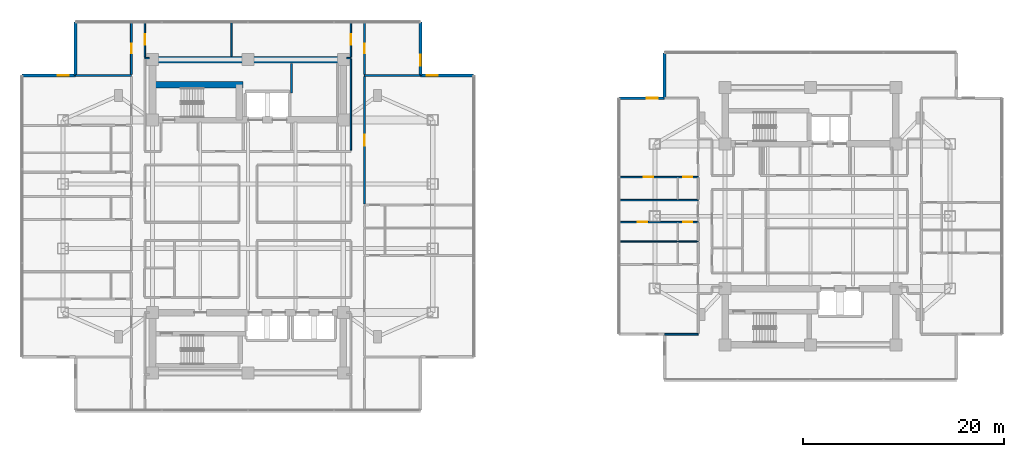
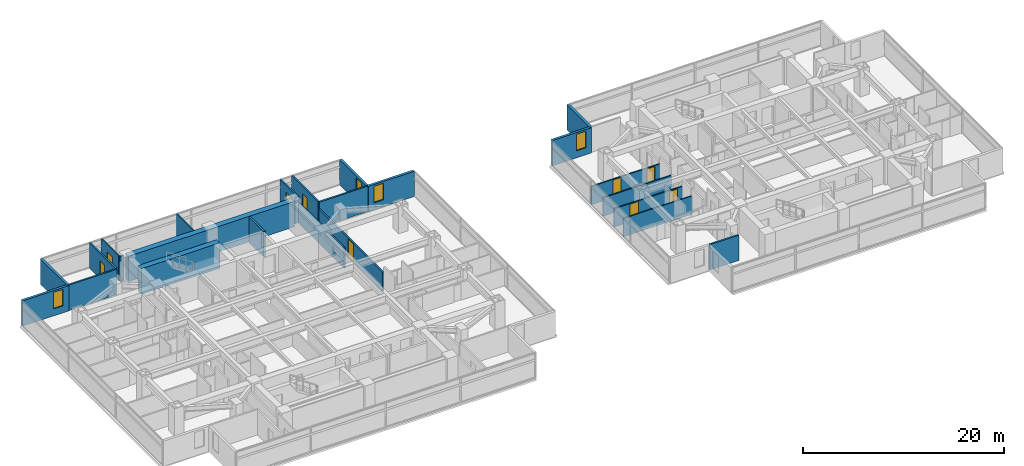
# One storey, part 17 of 26: 25 walls, 9 doors, 4 windows, 13 openings.
"""IFC4 building model written with IfcOpenShell, lengths in metres."""

from ifc_helpers import new_model, si_unit, direction, frame, frame_2d, origin, place, context, subcontext, project, spatial, rectangle, extrude, material, layer, layer_set, type_object, element, fill, save


model = new_model("IFC4")

# Units and contexts
model_context = context("Model", 3, precision=1e-05, world=origin(), true_north=direction((0.0, 1.0)))
body_context = subcontext(model_context, "Body", "Model", "MODEL_VIEW")
ifc_project = project(units=[si_unit("LENGTHUNIT", "METRE"), si_unit("AREAUNIT", "SQUARE_METRE"), si_unit("VOLUMEUNIT", "CUBIC_METRE"), si_unit("PLANEANGLEUNIT", "RADIAN"), si_unit("MASSUNIT", "GRAM", prefix="KILO")], contexts=[model_context])

# Site, building, storey
site_placement = place(None, origin())
site = spatial("IfcSite", under=ifc_project, at=site_placement, CompositionType="ELEMENT")
building_placement = place(site_placement, origin())
building = spatial("IfcBuilding", under=site, at=building_placement, Name="Mirazonda Arch Towers", CompositionType="ELEMENT")
storey_placement = place(building_placement, frame((0.0, 0.0, 114.800048828125)))
storey = spatial("IfcBuildingStorey", under=building, at=storey_placement, Name="L32", CompositionType="ELEMENT", Elevation=114.800048828125)

# Walls
ifc_material_1 = material(Name="Concrete C60/75", Category="concrete")
ifc_layer_1 = layer(ifc_material_1, 0.64990234375, Name="WALL-CORE-650")
ifc_layer_set_1 = layer_set([ifc_layer_1], Name="Concrete C60/75")
wall_type_1 = type_object("IfcWallType", Name="WALL-CORE-650", PredefinedType="SHEAR", material=ifc_layer_set_1)
wall_1_placement = place(storey_placement, frame((11.0, 43.60009765625, 0.0), z_axis=(0.0, 0.0, 1.0), x_axis=(1.0, 0.0, 0.0)))
element("IfcWall", 1, at=wall_1_placement, inside=storey, type_object=wall_type_1, Name="L32 T1N-N Core Shear Wall", PredefinedType="SHEAR", context=body_context, shape_type="SweptSolid", body=[
    extrude(rectangle(XDim=19.0, YDim=0.64990234375, at=frame_2d((9.5, 0.0))), origin(), (0.0, 0.0, 1.0), 3.079833984375),
])
wall_2_placement = place(storey_placement, frame((11.0, 41.093017578125, 0.0), z_axis=(0.0, 0.0, 1.0), x_axis=(1.0, 0.0, 0.0)))
element("IfcWall", 2, at=wall_2_placement, inside=storey, type_object=wall_type_1, Name="L32 T1N-STN Core Shear Wall", PredefinedType="SHEAR", context=body_context, shape_type="SweptSolid", body=[
    extrude(rectangle(XDim=9.0, YDim=0.64990234375, at=frame_2d((4.5, 0.0))), origin(), (0.0, 0.0, 1.0), 3.079833984375),
])

# Wall, opening, window
ifc_material_2 = material(Name="Precast Concrete C40/50", Category="concrete")
ifc_layer_2 = layer(ifc_material_2, 0.280029296875, Name="WALL-EXT-WALL-280")
ifc_layer_set_2 = layer_set([ifc_layer_2], Name="Precast Concrete C40/50")
wall_type_2 = type_object("IfcWallType", Name="WALL-EXT-WALL-280", PredefinedType="SOLIDWALL", material=ifc_layer_set_2)
wall_3_placement = place(storey_placement, frame((37.6650390625, 42.009033203125, 0.0), z_axis=(0.0, 0.0, 1.0), x_axis=(0.0, 1.0, 0.0)))
wall_3 = element("IfcWall", 3, at=wall_3_placement, inside=storey, type_object=wall_type_2, Name="L32 T1 Notched NE Corner Wall WL-L32-T1-CNE", PredefinedType="SOLIDWALL", context=body_context, shape_type="SweptSolid", body=[
    extrude(rectangle(XDim=5.304931640625, YDim=0.280029296875, at=frame_2d((2.65234375, 0.0))), origin(), (0.0, 0.0, 1.0), 3.06005859375),
])
opening_1_placement = place(wall_3_placement, frame((0.949951171875, 0.0, 0.85009765625)))
opening_1 = element("IfcOpeningElement", 4, at=opening_1_placement, cuts=wall_3, Name="Opening WN-108", PredefinedType="OPENING", context=body_context, shape_type="SweptSolid", body=[
    extrude(rectangle(XDim=1.10009765625, YDim=2.0, at=frame_2d((0.550048828125, 1.0))), frame((0.0, 0.14990234375, 0.0), z_axis=(0.0, -1.0, 0.0), x_axis=(1.0, 0.0, 0.0)), (0.0, 0.0, 1.0), 0.300048828125),
])
ifc_material_3 = material(Name="Insulated Low-E Solar Glass", Category="glass")
window_type = type_object("IfcWindowType", Name="WIN-NOTCH-1100x2000", PartitioningType="SINGLE_PANEL", PredefinedType="WINDOW", material=ifc_material_3)
window_1_placement = place(opening_1_placement, origin())
window_1 = element("IfcWindow", 5, at=window_1_placement, inside=storey, type_object=window_type, Name="L32 Punched Facade Window WN-L32-T1-CNE", OverallHeight=2.0, OverallWidth=1.10009765625, PartitioningType="SINGLE_PANEL", PredefinedType="WINDOW", context=body_context, shape_type="SweptSolid", body=[
    extrude(rectangle(XDim=1.10009765625, YDim=2.0, at=frame_2d((0.550048828125, 1.0))), frame((0.0, 0.030029296875, 0.0), z_axis=(0.0, -1.0, 0.0), x_axis=(1.0, 0.0, 0.0)), (0.0, 0.0, 1.0), 0.06005859375),
])
fill(opening_1, window_1)

wall_4_placement = place(storey_placement, frame((3.3349609375, 42.009033203125, 0.0), z_axis=(0.0, 0.0, 1.0), x_axis=(-1.0, 0.0, 0.0)))
wall_4 = element("IfcWall", 6, at=wall_4_placement, inside=storey, type_object=wall_type_2, Name="L32 T1 Corner Notch Return Wall WL-L32-T1-CNW1", PredefinedType="SOLIDWALL", context=body_context, shape_type="SweptSolid", body=[
    extrude(rectangle(XDim=5.304931640625, YDim=0.280029296875, at=frame_2d((2.65234375, 0.0))), origin(), (0.0, 0.0, 1.0), 3.06005859375),
])
opening_2_placement = place(wall_4_placement, frame((0.64990234375, 0.0, 0.85009765625)))
opening_2 = element("IfcOpeningElement", 7, at=opening_2_placement, cuts=wall_4, Name="Opening WN-108", PredefinedType="OPENING", context=body_context, shape_type="SweptSolid", body=[
    extrude(rectangle(XDim=1.10009765625, YDim=2.0, at=frame_2d((0.550048828125, 1.0))), frame((0.0, 0.14990234375, 0.0), z_axis=(0.0, -1.0, 0.0), x_axis=(1.0, 0.0, 0.0)), (0.0, 0.0, 1.0), 0.300048828125),
])
window_2_placement = place(opening_2_placement, origin())
window_2 = element("IfcWindow", 8, at=window_2_placement, inside=storey, type_object=window_type, Name="L32 Punched Facade Window WN-L32-T1-CNW1", OverallHeight=2.0, OverallWidth=1.10009765625, PartitioningType="SINGLE_PANEL", PredefinedType="WINDOW", context=body_context, shape_type="SweptSolid", body=[
    extrude(rectangle(XDim=1.10009765625, YDim=2.0, at=frame_2d((0.550048828125, 1.0))), frame((0.0, 0.030029296875, 0.0), z_axis=(0.0, -1.0, 0.0), x_axis=(1.0, 0.0, 0.0)), (0.0, 0.0, 1.0), 0.06005859375),
])
fill(opening_2, window_2)

# Wall
wall_5_placement = place(storey_placement, frame((3.3349609375, 47.31396484375, 0.0), z_axis=(0.0, 0.0, 1.0), x_axis=(0.0, -1.0, 0.0)))
element("IfcWall", 9, at=wall_5_placement, inside=storey, type_object=wall_type_2, Name="L32 T1 Corner Notch Return Wall WL-L32-T1-CNW2", PredefinedType="SOLIDWALL", context=body_context, shape_type="SweptSolid", body=[
    extrude(rectangle(XDim=5.304931640625, YDim=0.280029296875, at=frame_2d((2.65234375, 0.0))), origin(), (0.0, 0.0, 1.0), 3.06005859375),
])

# Wall, opening, window
wall_6_placement = place(storey_placement, frame((42.969970703125, 42.009033203125, 0.0), z_axis=(0.0, 0.0, 1.0), x_axis=(-1.0, 0.0, 0.0)))
wall_6 = element("IfcWall", 10, at=wall_6_placement, inside=storey, type_object=wall_type_2, Name="L32 T1 Corner Notch Return Wall WL-L32-T1-CNE2", PredefinedType="SOLIDWALL", context=body_context, shape_type="SweptSolid", body=[
    extrude(rectangle(XDim=5.304931640625, YDim=0.280029296875, at=frame_2d((2.65234375, 0.0))), origin(), (0.0, 0.0, 1.0), 3.06005859375),
])
opening_3_placement = place(wall_6_placement, frame((3.554931640625, 0.0, 0.85009765625)))
opening_3 = element("IfcOpeningElement", 11, at=opening_3_placement, cuts=wall_6, Name="Opening WN-108", PredefinedType="OPENING", context=body_context, shape_type="SweptSolid", body=[
    extrude(rectangle(XDim=1.10009765625, YDim=2.0, at=frame_2d((0.550048828125, 1.0))), frame((0.0, 0.14990234375, 0.0), z_axis=(0.0, -1.0, 0.0), x_axis=(1.0, 0.0, 0.0)), (0.0, 0.0, 1.0), 0.300048828125),
])
window_3_placement = place(opening_3_placement, origin())
window_3 = element("IfcWindow", 12, at=window_3_placement, inside=storey, type_object=window_type, Name="L32 Punched Facade Window WN-L32-T1-CNE2", OverallHeight=2.0, OverallWidth=1.10009765625, PartitioningType="SINGLE_PANEL", PredefinedType="WINDOW", context=body_context, shape_type="SweptSolid", body=[
    extrude(rectangle(XDim=1.10009765625, YDim=2.0, at=frame_2d((0.550048828125, 1.0))), frame((0.0, 0.030029296875, 0.0), z_axis=(0.0, -1.0, 0.0), x_axis=(1.0, 0.0, 0.0)), (0.0, 0.0, 1.0), 0.06005859375),
])
fill(opening_3, window_3)

wall_7_placement = place(storey_placement, frame((61.9697265625, 39.74755859375, 0.0), z_axis=(0.0, 0.0, 1.0), x_axis=(-1.0, 0.0, 0.0)))
wall_7 = element("IfcWall", 13, at=wall_7_placement, inside=storey, type_object=wall_type_2, Name="L32 T2 Corner Notch Return Wall WL-L32-T2-CNW1", PredefinedType="SOLIDWALL", context=body_context, shape_type="SweptSolid", body=[
    extrude(rectangle(XDim=4.51611328125, YDim=0.280029296875, at=frame_2d((2.258056640625, 0.0))), origin(), (0.0, 0.0, 1.0), 3.06005859375),
])
opening_4_placement = place(wall_7_placement, frame((0.64990234375, 0.0, 0.85009765625)))
opening_4 = element("IfcOpeningElement", 14, at=opening_4_placement, cuts=wall_7, Name="Opening WN-108", PredefinedType="OPENING", context=body_context, shape_type="SweptSolid", body=[
    extrude(rectangle(XDim=1.10009765625, YDim=2.0, at=frame_2d((0.550048828125, 1.0))), frame((0.0, 0.14990234375, 0.0), z_axis=(0.0, -1.0, 0.0), x_axis=(1.0, 0.0, 0.0)), (0.0, 0.0, 1.0), 0.300048828125),
])
window_4_placement = place(opening_4_placement, origin())
window_4 = element("IfcWindow", 15, at=window_4_placement, inside=storey, type_object=window_type, Name="L32 Punched Facade Window WN-L32-T2-CNW1", OverallHeight=2.0, OverallWidth=1.10009765625, PartitioningType="SINGLE_PANEL", PredefinedType="WINDOW", context=body_context, shape_type="SweptSolid", body=[
    extrude(rectangle(XDim=1.10009765625, YDim=2.0, at=frame_2d((0.550048828125, 1.0))), frame((0.0, 0.030029296875, 0.0), z_axis=(0.0, -1.0, 0.0), x_axis=(1.0, 0.0, 0.0)), (0.0, 0.0, 1.0), 0.06005859375),
])
fill(opening_4, window_4)

# Walls
wall_8_placement = place(storey_placement, frame((61.9697265625, 44.263916015625, 0.0), z_axis=(0.0, 0.0, 1.0), x_axis=(0.0, -1.0, 0.0)))
element("IfcWall", 16, at=wall_8_placement, inside=storey, type_object=wall_type_2, Name="L32 T2 Corner Notch Return Wall WL-L32-T2-CNW2", PredefinedType="SOLIDWALL", context=body_context, shape_type="SweptSolid", body=[
    extrude(rectangle(XDim=4.516357421875, YDim=0.280029296875, at=frame_2d((2.25830078125, 0.0))), origin(), (0.0, 0.0, 1.0), 3.06005859375),
])
ifc_material_4 = material(Name="Concrete C40/50", Category="concrete")
ifc_layer_3 = layer(ifc_material_4, 0.219970703125, Name="WALL-FFL-220")
ifc_layer_set_3 = layer_set([ifc_layer_3], Name="Concrete C40/50")
wall_type_3 = type_object("IfcWallType", Name="WALL-FFL-220", PredefinedType="SOLIDWALL", material=ifc_layer_set_3)
wall_9_placement = place(storey_placement, frame((24.85009765625, 40.260009765625, 0.0), z_axis=(0.0, 0.0, 1.0), x_axis=(0.0, 1.0, 0.0)))
element("IfcWall", 17, at=wall_9_placement, inside=storey, type_object=wall_type_3, Name="L32 Interior Partition 104", PredefinedType="SOLIDWALL", context=body_context, shape_type="SweptSolid", body=[
    extrude(rectangle(XDim=2.93994140625, YDim=0.219970703125, at=frame_2d((1.469970703125, 0.0))), origin(), (0.0, 0.0, 1.0), 3.079833984375),
])

# Wall, openings, doors
ifc_material_5 = material(Name="Fire-Rated Gypsum Stud Partition")
ifc_layer_4 = layer(ifc_material_5, 0.14990234375, Name="WALL-PART-CORR-150")
ifc_layer_set_4 = layer_set([ifc_layer_4], Name="Fire-Rated Gypsum Stud Partition")
wall_type_4 = type_object("IfcWallType", Name="WALL-PART-CORR-150", PredefinedType="PARTITIONING", material=ifc_layer_set_4)
wall_10_placement = place(storey_placement, frame((57.452880859375, 27.412109375, 0.0), z_axis=(0.0, 0.0, 1.0), x_axis=(1.0, 0.0, 0.0)))
wall_10 = element("IfcWall", 18, at=wall_10_placement, inside=storey, type_object=wall_type_4, Name="L32 Interior Partition 037", PredefinedType="PARTITIONING", context=body_context, shape_type="SweptSolid", body=[
    extrude(rectangle(XDim=7.8671875, YDim=0.14990234375, at=frame_2d((3.93359375, 0.0))), origin(), (0.0, 0.0, 1.0), 2.216064453125),
])
opening_5_placement = place(wall_10_placement, frame((1.8583984375, 0.0, 0.0)))
opening_5 = element("IfcOpeningElement", 19, at=opening_5_placement, cuts=wall_10, Name="Opening DR-104", PredefinedType="OPENING", context=body_context, shape_type="SweptSolid", body=[
    extrude(rectangle(XDim=0.949951171875, YDim=2.14990234375, at=frame_2d((0.47509765625, 1.074951171875))), frame((0.0, 0.0849609375, 0.0), z_axis=(0.0, -1.0, 0.0), x_axis=(1.0, 0.0, 0.0)), (0.0, 0.0, 1.0), 0.169921875),
])
opening_6_placement = place(wall_10_placement, frame((6.376953125, 0.0, 0.0)))
opening_6 = element("IfcOpeningElement", 20, at=opening_6_placement, cuts=wall_10, Name="Opening DR-120", PredefinedType="OPENING", context=body_context, shape_type="SweptSolid", body=[
    extrude(rectangle(XDim=0.89990234375, YDim=2.10009765625, at=frame_2d((0.449951171875, 1.050048828125))), frame((0.0, 0.0849609375, 0.0), z_axis=(0.0, -1.0, 0.0), x_axis=(1.0, 0.0, 0.0)), (0.0, 0.0, 1.0), 0.169921875),
])
ifc_material_6 = material(Name="Architectural Brushed Steel S355", Category="steel")
door_type_1 = type_object("IfcDoorType", Name="DOOR-ROOM-950", OperationType="NOTDEFINED", PredefinedType="DOOR", material=ifc_material_6)
door_1_placement = place(opening_5_placement, origin())
door_1 = element("IfcDoor", 21, at=door_1_placement, inside=storey, type_object=door_type_1, Name="L32 Studio 2 Galley Kitchen Door", OperationType="SINGLE_SWING_LEFT", OverallHeight=2.14990234375, OverallWidth=0.949951171875, PredefinedType="DOOR", context=body_context, shape_type="SweptSolid", body=[
    extrude(rectangle(XDim=0.949951171875, YDim=2.14990234375, at=frame_2d((0.47509765625, 1.074951171875))), frame((0.0, 0.02490234375, 0.0), z_axis=(0.0, -1.0, 0.0), x_axis=(1.0, 0.0, 0.0)), (0.0, 0.0, 1.0), 0.050048828125),
])
fill(opening_5, door_1)
door_type_2 = type_object("IfcDoorType", Name="DOOR-WC-900", OperationType="NOTDEFINED", PredefinedType="DOOR", material=ifc_material_6)
door_2_placement = place(opening_6_placement, origin())
door_2 = element("IfcDoor", 22, at=door_2_placement, inside=storey, type_object=door_type_2, Name="L32 Studio 2 Bathroom Door", OperationType="SINGLE_SWING_RIGHT", OverallHeight=2.10009765625, OverallWidth=0.89990234375, PredefinedType="DOOR", context=body_context, shape_type="SweptSolid", body=[
    extrude(rectangle(XDim=0.89990234375, YDim=2.10009765625, at=frame_2d((0.449951171875, 1.050048828125))), frame((0.0, 0.02490234375, 0.0), z_axis=(0.0, -1.0, 0.0), x_axis=(1.0, 0.0, 0.0)), (0.0, 0.0, 1.0), 0.050048828125),
])
fill(opening_6, door_2)

# Wall
wall_11_placement = place(storey_placement, frame((57.452880859375, 29.595947265625, 0.0), z_axis=(0.0, 0.0, 1.0), x_axis=(1.0, 0.0, 0.0)))
element("IfcWall", 23, at=wall_11_placement, inside=storey, type_object=wall_type_4, Name="L32 Interior Partition 041", PredefinedType="PARTITIONING", context=body_context, shape_type="SweptSolid", body=[
    extrude(rectangle(XDim=7.8671875, YDim=0.14990234375, at=frame_2d((3.93359375, 0.0))), origin(), (0.0, 0.0, 1.0), 2.216064453125),
])

# Wall, openings, doors
wall_12_placement = place(storey_placement, frame((57.452880859375, 31.89599609375, 0.0), z_axis=(0.0, 0.0, 1.0), x_axis=(1.0, 0.0, 0.0)))
wall_12 = element("IfcWall", 24, at=wall_12_placement, inside=storey, type_object=wall_type_4, Name="L32 Interior Partition 044", PredefinedType="PARTITIONING", context=body_context, shape_type="SweptSolid", body=[
    extrude(rectangle(XDim=7.8671875, YDim=0.14990234375, at=frame_2d((3.93359375, 0.0))), origin(), (0.0, 0.0, 1.0), 2.216064453125),
])
opening_7_placement = place(wall_12_placement, frame((2.45849609375, 0.0, 0.0)))
opening_7 = element("IfcOpeningElement", 25, at=opening_7_placement, cuts=wall_12, Name="Opening DR-104", PredefinedType="OPENING", context=body_context, shape_type="SweptSolid", body=[
    extrude(rectangle(XDim=0.949951171875, YDim=2.14990234375, at=frame_2d((0.47509765625, 1.074951171875))), frame((0.0, 0.0849609375, 0.0), z_axis=(0.0, -1.0, 0.0), x_axis=(1.0, 0.0, 0.0)), (0.0, 0.0, 1.0), 0.169921875),
])
opening_8_placement = place(wall_12_placement, frame((6.376953125, 0.0, 0.0)))
opening_8 = element("IfcOpeningElement", 26, at=opening_8_placement, cuts=wall_12, Name="Opening DR-120", PredefinedType="OPENING", context=body_context, shape_type="SweptSolid", body=[
    extrude(rectangle(XDim=0.89990234375, YDim=2.10009765625, at=frame_2d((0.449951171875, 1.050048828125))), frame((0.0, 0.0849609375, 0.0), z_axis=(0.0, -1.0, 0.0), x_axis=(1.0, 0.0, 0.0)), (0.0, 0.0, 1.0), 0.169921875),
])
door_3_placement = place(opening_7_placement, origin())
door_3 = element("IfcDoor", 27, at=door_3_placement, inside=storey, type_object=door_type_1, Name="L32 Studio 3 Galley Kitchen Door", OperationType="SINGLE_SWING_RIGHT", OverallHeight=2.14990234375, OverallWidth=0.949951171875, PredefinedType="DOOR", context=body_context, shape_type="SweptSolid", body=[
    extrude(rectangle(XDim=0.949951171875, YDim=2.14990234375, at=frame_2d((0.47509765625, 1.074951171875))), frame((0.0, 0.02490234375, 0.0), z_axis=(0.0, -1.0, 0.0), x_axis=(1.0, 0.0, 0.0)), (0.0, 0.0, 1.0), 0.050048828125),
])
fill(opening_7, door_3)
door_4_placement = place(opening_8_placement, origin())
door_4 = element("IfcDoor", 28, at=door_4_placement, inside=storey, type_object=door_type_2, Name="L32 Studio 3 Bathroom Door", OperationType="SINGLE_SWING_LEFT", OverallHeight=2.10009765625, OverallWidth=0.89990234375, PredefinedType="DOOR", context=body_context, shape_type="SweptSolid", body=[
    extrude(rectangle(XDim=0.89990234375, YDim=2.10009765625, at=frame_2d((0.449951171875, 1.050048828125))), frame((0.0, 0.02490234375, 0.0), z_axis=(0.0, -1.0, 0.0), x_axis=(1.0, 0.0, 0.0)), (0.0, 0.0, 1.0), 0.050048828125),
])
fill(opening_8, door_4)

# Walls
for number, where, z_axis, x_axis, name in (
    (29, (10.239990234375, 43.75, 0.0), (0.0, 0.0, 1.0), (1.0, 0.0, 0.0), "L32 Interior Partition 063"),
    (30, (30.320068359375, 43.75, 0.0), (0.0, 0.0, 1.0), (1.0, 0.0, 0.0), "L32 Interior Partition 064"),
):
    element("IfcWall", number, at=place(storey_placement, frame(where, z_axis=z_axis, x_axis=x_axis)), inside=storey, type_object=wall_type_4, Name=name, PredefinedType="PARTITIONING", context=body_context, shape_type="SweptSolid", body=[
        extrude(rectangle(XDim=0.43994140625, YDim=0.14990234375, at=frame_2d((0.219970703125, 0.0))), origin(), (0.0, 0.0, 1.0), 3.079833984375),
    ])

# Wall, opening, door
wall_13_placement = place(storey_placement, frame((10.239990234375, 43.8349609375, 0.0), z_axis=(0.0, 0.0, 1.0), x_axis=(0.0, 1.0, 0.0)))
wall_13 = element("IfcWall", 31, at=wall_13_placement, inside=storey, type_object=wall_type_4, Name="L32 Interior Partition 085", PredefinedType="PARTITIONING", context=body_context, shape_type="SweptSolid", body=[
    extrude(rectangle(XDim=3.47900390625, YDim=0.14990234375, at=frame_2d((1.739501953125, 0.0))), origin(), (0.0, 0.0, 1.0), 3.079833984375),
])
opening_9_placement = place(wall_13_placement, frame((1.214599609375, 0.0, 0.0)))
opening_9 = element("IfcOpeningElement", 32, at=opening_9_placement, cuts=wall_13, Name="Opening DR-121", PredefinedType="OPENING", context=body_context, shape_type="SweptSolid", body=[
    extrude(rectangle(XDim=1.050048828125, YDim=2.199951171875, at=frame_2d((0.52490234375, 1.10009765625))), frame((0.0, 0.0849609375, 0.0), z_axis=(0.0, -1.0, 0.0), x_axis=(1.0, 0.0, 0.0)), (0.0, 0.0, 1.0), 0.169921875),
])
door_type_3 = type_object("IfcDoorType", Name="DOOR-SUITE-FD60-1050", OperationType="NOTDEFINED", PredefinedType="DOOR", material=ifc_material_6)
door_5_placement = place(opening_9_placement, origin())
door_5 = element("IfcDoor", 33, at=door_5_placement, inside=storey, type_object=door_type_3, Name="L32 North Reading Salon West Door", OperationType="SINGLE_SWING_LEFT", OverallHeight=2.199951171875, OverallWidth=1.050048828125, PredefinedType="DOOR", context=body_context, shape_type="SweptSolid", body=[
    extrude(rectangle(XDim=1.050048828125, YDim=2.199951171875, at=frame_2d((0.52490234375, 1.10009765625))), frame((0.0, 0.02490234375, 0.0), z_axis=(0.0, -1.0, 0.0), x_axis=(1.0, 0.0, 0.0)), (0.0, 0.0, 1.0), 0.050048828125),
])
fill(opening_9, door_5)

# Walls
wall_14_placement = place(storey_placement, frame((18.85791015625, 43.919921875, 0.0), z_axis=(0.0, 0.0, 1.0), x_axis=(0.0, 1.0, 0.0)))
element("IfcWall", 34, at=wall_14_placement, inside=storey, type_object=wall_type_4, Name="L32 Interior Partition 090", PredefinedType="PARTITIONING", context=body_context, shape_type="SweptSolid", body=[
    extrude(rectangle(XDim=3.39404296875, YDim=0.14990234375, at=frame_2d((1.697021484375, 0.0))), origin(), (0.0, 0.0, 1.0), 3.079833984375),
])
wall_15_placement = place(storey_placement, frame((30.760009765625, 34.570068359375, 0.0), z_axis=(0.0, 0.0, 1.0), x_axis=(0.0, 1.0, 0.0)))
element("IfcWall", 35, at=wall_15_placement, inside=storey, type_object=wall_type_4, Name="L32 Interior Partition 112", PredefinedType="PARTITIONING", context=body_context, shape_type="SweptSolid", body=[
    extrude(rectangle(XDim=9.094970703125, YDim=0.14990234375, at=frame_2d((4.54736328125, 0.0))), origin(), (0.0, 0.0, 1.0), 2.4560546875),
])

# Wall, opening, door
wall_16_placement = place(storey_placement, frame((30.760009765625, 43.8349609375, 0.0), z_axis=(0.0, 0.0, 1.0), x_axis=(0.0, 1.0, 0.0)))
wall_16 = element("IfcWall", 36, at=wall_16_placement, inside=storey, type_object=wall_type_4, Name="L32 Interior Partition 113", PredefinedType="PARTITIONING", context=body_context, shape_type="SweptSolid", body=[
    extrude(rectangle(XDim=3.47900390625, YDim=0.14990234375, at=frame_2d((1.739501953125, 0.0))), origin(), (0.0, 0.0, 1.0), 3.079833984375),
])
opening_10_placement = place(wall_16_placement, frame((1.214599609375, 0.0, 0.0)))
opening_10 = element("IfcOpeningElement", 37, at=opening_10_placement, cuts=wall_16, Name="Opening DR-121", PredefinedType="OPENING", context=body_context, shape_type="SweptSolid", body=[
    extrude(rectangle(XDim=1.050048828125, YDim=2.199951171875, at=frame_2d((0.52490234375, 1.10009765625))), frame((0.0, 0.0849609375, 0.0), z_axis=(0.0, -1.0, 0.0), x_axis=(1.0, 0.0, 0.0)), (0.0, 0.0, 1.0), 0.169921875),
])
door_6_placement = place(opening_10_placement, origin())
door_6 = element("IfcDoor", 38, at=door_6_placement, inside=storey, type_object=door_type_3, Name="L32 North Reading Salon East Door", OperationType="SINGLE_SWING_RIGHT", OverallHeight=2.199951171875, OverallWidth=1.050048828125, PredefinedType="DOOR", context=body_context, shape_type="SweptSolid", body=[
    extrude(rectangle(XDim=1.050048828125, YDim=2.199951171875, at=frame_2d((0.52490234375, 1.10009765625))), frame((0.0, 0.02490234375, 0.0), z_axis=(0.0, -1.0, 0.0), x_axis=(1.0, 0.0, 0.0)), (0.0, 0.0, 1.0), 0.050048828125),
])
fill(opening_10, door_6)

# Walls
ifc_material_7 = material(Name="Fire-Rated Gypsum Twin-Stud Assembly")
ifc_layer_5 = layer(ifc_material_7, 0.179931640625, Name="WALL-PART-DEMISE-180")
ifc_layer_set_5 = layer_set([ifc_layer_5], Name="Fire-Rated Gypsum Twin-Stud Assembly")
wall_type_5 = type_object("IfcWallType", Name="WALL-PART-DEMISE-180", PredefinedType="PARTITIONING", material=ifc_layer_set_5)
wall_17_placement = place(storey_placement, frame((61.98974609375, 16.251953125, 0.0), z_axis=(0.0, 0.0, 1.0), x_axis=(1.0, 0.0, 0.0)))
element("IfcWall", 39, at=wall_17_placement, inside=storey, type_object=wall_type_5, Name="L32 Interior Partition 009", PredefinedType="PARTITIONING", context=body_context, shape_type="SweptSolid", body=[
    extrude(rectangle(XDim=3.330322265625, YDim=0.179931640625, at=frame_2d((1.6650390625, 0.0))), origin(), (0.0, 0.0, 1.0), 3.079833984375),
])
for number, where, z_axis, x_axis, name in (
    (40, (3.35498046875, 42.009033203125, 0.0), (0.0, 0.0, 1.0), (1.0, 0.0, 0.0), "L32 Interior Partition 061"),
    (41, (32.10009765625, 42.009033203125, 0.0), (0.0, 0.0, 1.0), (1.0, 0.0, 0.0), "L32 Interior Partition 062"),
):
    element("IfcWall", number, at=place(storey_placement, frame(where, z_axis=z_axis, x_axis=x_axis)), inside=storey, type_object=wall_type_5, Name=name, PredefinedType="PARTITIONING", context=body_context, shape_type="SweptSolid", body=[
        extrude(rectangle(XDim=5.544921875, YDim=0.179931640625, at=frame_2d((2.7724609375, 0.0))), origin(), (0.0, 0.0, 1.0), 3.079833984375),
    ])

# Wall, opening, door
wall_18_placement = place(storey_placement, frame((8.89990234375, 42.10888671875, 0.0), z_axis=(0.0, 0.0, 1.0), x_axis=(0.0, 1.0, 0.0)))
wall_18 = element("IfcWall", 42, at=wall_18_placement, inside=storey, type_object=wall_type_5, Name="L32 Interior Partition 078", PredefinedType="PARTITIONING", context=body_context, shape_type="SweptSolid", body=[
    extrude(rectangle(XDim=5.205078125, YDim=0.179931640625, at=frame_2d((2.6025390625, 0.0))), origin(), (0.0, 0.0, 1.0), 3.079833984375),
])
opening_11_placement = place(wall_18_placement, frame((2.12744140625, 0.0, 0.0)))
opening_11 = element("IfcOpeningElement", 43, at=opening_11_placement, cuts=wall_18, Name="Opening DR-104", PredefinedType="OPENING", context=body_context, shape_type="SweptSolid", body=[
    extrude(rectangle(XDim=0.949951171875, YDim=2.14990234375, at=frame_2d((0.47509765625, 1.074951171875))), frame((0.0, 0.099853515625, 0.0), z_axis=(0.0, -1.0, 0.0), x_axis=(1.0, 0.0, 0.0)), (0.0, 0.0, 1.0), 0.199951171875),
])
door_7_placement = place(opening_11_placement, origin())
door_7 = element("IfcDoor", 44, at=door_7_placement, inside=storey, type_object=door_type_1, Name="L32 North Reading Salon Alcove West Door", OperationType="SINGLE_SWING_LEFT", OverallHeight=2.14990234375, OverallWidth=0.949951171875, PredefinedType="DOOR", context=body_context, shape_type="SweptSolid", body=[
    extrude(rectangle(XDim=0.949951171875, YDim=2.14990234375, at=frame_2d((0.47509765625, 1.074951171875))), frame((0.0, 0.02490234375, 0.0), z_axis=(0.0, -1.0, 0.0), x_axis=(1.0, 0.0, 0.0)), (0.0, 0.0, 1.0), 0.050048828125),
])
fill(opening_11, door_7)

wall_19_placement = place(storey_placement, frame((32.10009765625, 29.217041015625, 0.0), z_axis=(0.0, 0.0, 1.0), x_axis=(0.0, 1.0, 0.0)))
wall_19 = element("IfcWall", 45, at=wall_19_placement, inside=storey, type_object=wall_type_5, Name="L32 Interior Partition 118", PredefinedType="PARTITIONING", context=body_context, shape_type="SweptSolid", body=[
    extrude(rectangle(XDim=12.69189453125, YDim=0.179931640625, at=frame_2d((6.345947265625, 0.0))), origin(), (0.0, 0.0, 1.0), 2.299072265625),
])
opening_12_placement = place(wall_19_placement, frame((5.821044921875, 0.0, 0.0)))
opening_12 = element("IfcOpeningElement", 46, at=opening_12_placement, cuts=wall_19, Name="Opening DR-121", PredefinedType="OPENING", context=body_context, shape_type="SweptSolid", body=[
    extrude(rectangle(XDim=1.050048828125, YDim=2.199951171875, at=frame_2d((0.52490234375, 1.10009765625))), frame((0.0, 0.099853515625, 0.0), z_axis=(0.0, -1.0, 0.0), x_axis=(1.0, 0.0, 0.0)), (0.0, 0.0, 1.0), 0.199951171875),
])
door_8_placement = place(opening_12_placement, origin())
door_8 = element("IfcDoor", 47, at=door_8_placement, inside=storey, type_object=door_type_3, Name="L32 Presidential Hotel Suite 2 Door", OperationType="SINGLE_SWING_LEFT", OverallHeight=2.199951171875, OverallWidth=1.050048828125, PredefinedType="DOOR", context=body_context, shape_type="SweptSolid", body=[
    extrude(rectangle(XDim=1.050048828125, YDim=2.199951171875, at=frame_2d((0.52490234375, 1.10009765625))), frame((0.0, 0.02490234375, 0.0), z_axis=(0.0, -1.0, 0.0), x_axis=(1.0, 0.0, 0.0)), (0.0, 0.0, 1.0), 0.050048828125),
])
fill(opening_12, door_8)

wall_20_placement = place(storey_placement, frame((32.10009765625, 42.10888671875, 0.0), z_axis=(0.0, 0.0, 1.0), x_axis=(0.0, 1.0, 0.0)))
wall_20 = element("IfcWall", 48, at=wall_20_placement, inside=storey, type_object=wall_type_5, Name="L32 Interior Partition 119", PredefinedType="PARTITIONING", context=body_context, shape_type="SweptSolid", body=[
    extrude(rectangle(XDim=5.205078125, YDim=0.179931640625, at=frame_2d((2.6025390625, 0.0))), origin(), (0.0, 0.0, 1.0), 3.079833984375),
])
opening_13_placement = place(wall_20_placement, frame((2.12744140625, 0.0, 0.0)))
opening_13 = element("IfcOpeningElement", 49, at=opening_13_placement, cuts=wall_20, Name="Opening DR-104", PredefinedType="OPENING", context=body_context, shape_type="SweptSolid", body=[
    extrude(rectangle(XDim=0.949951171875, YDim=2.14990234375, at=frame_2d((0.47509765625, 1.074951171875))), frame((0.0, 0.099853515625, 0.0), z_axis=(0.0, -1.0, 0.0), x_axis=(1.0, 0.0, 0.0)), (0.0, 0.0, 1.0), 0.199951171875),
])
door_9_placement = place(opening_13_placement, origin())
door_9 = element("IfcDoor", 50, at=door_9_placement, inside=storey, type_object=door_type_1, Name="L32 North Reading Salon Alcove East Door", OperationType="SINGLE_SWING_RIGHT", OverallHeight=2.14990234375, OverallWidth=0.949951171875, PredefinedType="DOOR", context=body_context, shape_type="SweptSolid", body=[
    extrude(rectangle(XDim=0.949951171875, YDim=2.14990234375, at=frame_2d((0.47509765625, 1.074951171875))), frame((0.0, 0.02490234375, 0.0), z_axis=(0.0, -1.0, 0.0), x_axis=(1.0, 0.0, 0.0)), (0.0, 0.0, 1.0), 0.050048828125),
])
fill(opening_13, door_9)

# Wall
ifc_material_8 = material(Name="Acoustic Fire-Rated Gypsum Partition")
ifc_layer_6 = layer(ifc_material_8, 0.125, Name="WALL-PART-UNIT-125")
ifc_layer_set_6 = layer_set([ifc_layer_6], Name="Acoustic Fire-Rated Gypsum Partition")
wall_type_6 = type_object("IfcWallType", Name="WALL-PART-UNIT-125", PredefinedType="PARTITIONING", material=ifc_layer_set_6)
wall_21_placement = place(storey_placement, frame((57.452880859375, 25.491943359375, 0.0), z_axis=(0.0, 0.0, 1.0), x_axis=(1.0, 0.0, 0.0)))
element("IfcWall", 51, at=wall_21_placement, inside=storey, type_object=wall_type_6, Name="L32 Interior Partition 031", PredefinedType="PARTITIONING", context=body_context, shape_type="SweptSolid", body=[
    extrude(rectangle(XDim=7.8671875, YDim=0.125, at=frame_2d((3.93359375, 0.0))), origin(), (0.0, 0.0, 1.0), 2.216064453125),
])

save(model, "model.ifc")
